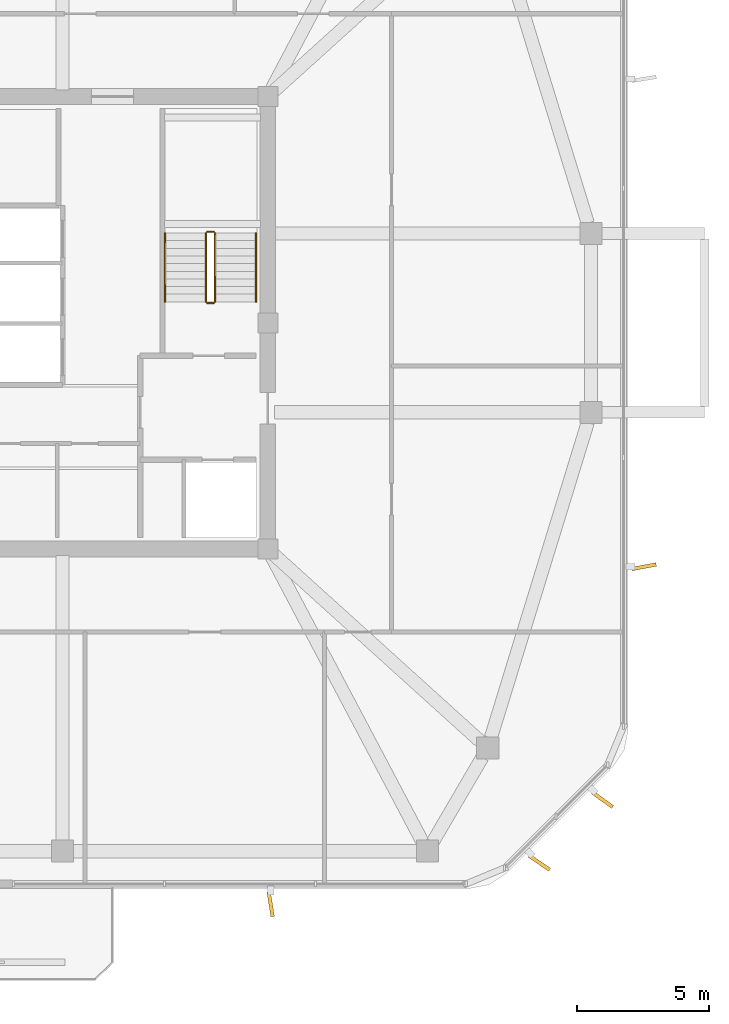
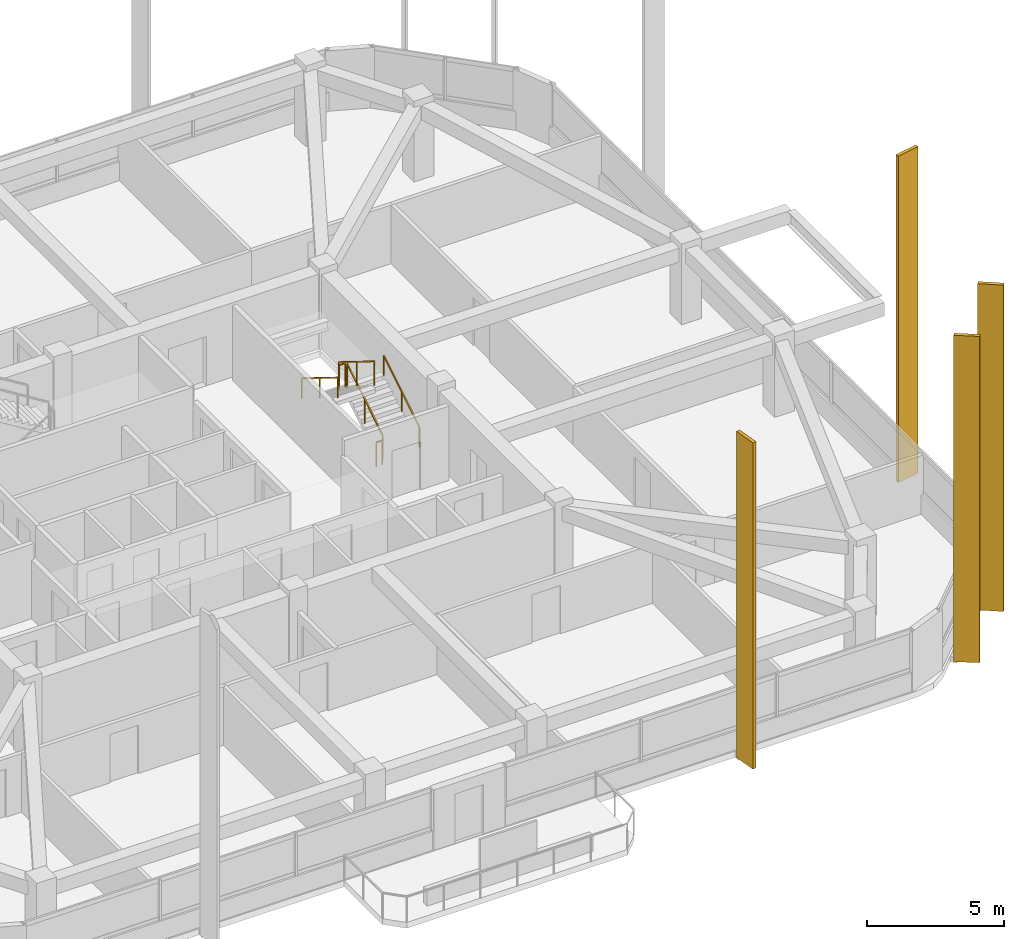
# One storey, part 11 of 12: 6 railings, 4 shading devices.
"""IFC4 building model written with IfcOpenShell, lengths in metres."""

from ifc_helpers import new_model, si_unit, derived_unit, direction, frame, origin, origin_2d, place, context, subcontext, project, spatial, rectangle, extrude, material, type_object, element, save


model = new_model("IFC4")

# Units and contexts
model_context = context("Model", 3, precision=1e-05, world=origin(), true_north=direction((0.0, 1.0)))
body_context = subcontext(model_context, "Body", "Model", "MODEL_VIEW")
ifc_project = project(units=[si_unit("LENGTHUNIT", "METRE"), si_unit("AREAUNIT", "SQUARE_METRE"), si_unit("VOLUMEUNIT", "CUBIC_METRE"), si_unit("PLANEANGLEUNIT", "RADIAN"), si_unit("MASSUNIT", "GRAM", prefix="KILO"), derived_unit("THERMALTRANSMITTANCEUNIT", [(si_unit("POWERUNIT", "WATT"), 1), (si_unit("LENGTHUNIT", "METRE"), -2), (si_unit("THERMODYNAMICTEMPERATUREUNIT", "KELVIN"), -1)])], contexts=[model_context])

# Site, building, storey
site_placement = place(None, origin())
site = spatial("IfcSite", under=ifc_project, at=site_placement, CompositionType="ELEMENT")
building_placement = place(site_placement, origin())
building = spatial("IfcBuilding", under=site, at=building_placement, Name="Koralith Skygarden Medical Center", CompositionType="ELEMENT")
storey_placement = place(building_placement, frame((0.0, 0.0, 268.02001953125)))
storey = spatial("IfcBuildingStorey", under=building, at=storey_placement, Name="L69", CompositionType="ELEMENT", Elevation=268.02001953125)

# Shading devices
ifc_material_1 = material(Name="Aluminium 6063-T6", Category="aluminium")
shading_device_type = type_object("IfcShadingDeviceType", Name="Limestone-Clad Solar Storm Fin 950", PredefinedType="USERDEFINED", material=ifc_material_1)
for number, where, z_axis, x_axis, name in (
    (1, (48.31005859375, 3.804931640625, -0.2001953125), (0.0, 0.0, 1.0), (0.158399333239, -0.987375131968, 0.0), "L69 S Harmonic Solar Storm Fin 2"),
    (2, (58.52197265625, 5.3798828125, -0.2001953125), (0.0, 0.0, 1.0), (0.825458463012, -0.564462864892, 0.0), "L69 SE Harmonic Solar Storm Fin 1"),
    (3, (60.919921875, 7.778076171875, -0.2001953125), (0.0, 0.0, 1.0), (0.810184894058, -0.586174408721, 0.0), "L69 SE Harmonic Solar Storm Fin 2"),
    (4, (62.4951171875, 16.6298828125, -0.2001953125), (0.0, 0.0, 1.0), (0.982822796277, 0.18455175729, 0.0), "L69 E Harmonic Solar Storm Fin 1"),
):
    element("IfcShadingDevice", number, at=place(storey_placement, frame(where, z_axis=z_axis, x_axis=x_axis)), inside=storey, type_object=shading_device_type, Name=name, ObjectType="SOLAR FIN", PredefinedType="USERDEFINED", context=body_context, shape_type="SweptSolid", body=[
        extrude(rectangle(XDim=0.949951171875, YDim=0.139892578125, at=origin_2d()), origin(), (0.0, 0.0, 1.0), 14.550048828125),
    ])

# Railings
ifc_material_2 = material(Name="Steel ASTM A500 Grade C", Category="steel")
railing_type_1 = type_object("IfcRailingType", Name="Stair Flight Tubular Handrail 920", PredefinedType="HANDRAIL", material=ifc_material_2)
railing_1_placement = place(storey_placement, frame((47.75, 26.699951171875, 0.179931640625)))
element("IfcRailing", 5, at=railing_1_placement, inside=storey, type_object=railing_type_1, Name="L69 ST2 stair handrail 1", PredefinedType="HANDRAIL", context=body_context, shape_type="SweptSolid", body=[
    extrude(rectangle(XDim=0.050048828125, YDim=0.050048828125, at=origin_2d()), frame((0.0, 0.001708984375, 0.89599609375), z_axis=(0.0, 0.849632798774, 0.527374731332), x_axis=(-1.0, 0.0, 0.0)), (0.0, 0.0, 1.0), 3.068115234375),
    extrude(rectangle(XDim=0.0419921875, YDim=0.0419921875, at=origin_2d()), origin(), (0.0, 0.0, 1.0), 0.867919921875),
    extrude(rectangle(XDim=0.0419921875, YDim=0.0419921875, at=origin_2d()), frame((0.0, 1.30517578125, 0.81005859375)), (0.0, 0.0, 1.0), 0.867919921875),
    extrude(rectangle(XDim=0.0419921875, YDim=0.0419921875, at=origin_2d()), frame((0.0, 2.610107421875, 1.6201171875)), (0.0, 0.0, 1.0), 0.867919921875),
])
railing_2_placement = place(storey_placement, frame((44.300048828125, 29.31005859375, 1.97998046875)))
element("IfcRailing", 6, at=railing_2_placement, inside=storey, type_object=railing_type_1, Name="L69 ST2 stair handrail 2", PredefinedType="HANDRAIL", context=body_context, shape_type="SweptSolid", body=[
    extrude(rectangle(XDim=0.050048828125, YDim=0.050048828125, at=origin_2d()), frame((0.0, -0.001708984375, 0.89599609375), z_axis=(0.0, -0.849632798774, 0.527374731332), x_axis=(1.0, 0.0, 0.0)), (0.0, 0.0, 1.0), 3.068115234375),
    extrude(rectangle(XDim=0.0419921875, YDim=0.0419921875, at=origin_2d()), origin(), (0.0, 0.0, 1.0), 0.867919921875),
    extrude(rectangle(XDim=0.0419921875, YDim=0.0419921875, at=origin_2d()), frame((0.0, -1.30517578125, 0.81005859375)), (0.0, 0.0, 1.0), 0.867919921875),
    extrude(rectangle(XDim=0.0419921875, YDim=0.0419921875, at=origin_2d()), frame((0.0, -2.610107421875, 1.6201171875)), (0.0, 0.0, 1.0), 0.867919921875),
])
railing_type_2 = type_object("IfcRailingType", Name="Stair Well Safety Guardrail 1100", PredefinedType="GUARDRAIL", material=ifc_material_2)
railing_3_placement = place(storey_placement, frame((46.199951171875, 26.699951171875, 0.179931640625)))
element("IfcRailing", 7, at=railing_3_placement, inside=storey, type_object=railing_type_2, Name="L69 ST2 stair guard 1", PredefinedType="GUARDRAIL", context=body_context, shape_type="SweptSolid", body=[
    extrude(rectangle(XDim=0.050048828125, YDim=0.050048828125, at=origin_2d()), frame((0.0, 0.001708984375, 1.076171875), z_axis=(0.0, 0.849632798774, 0.527374731332), x_axis=(-1.0, 0.0, 0.0)), (0.0, 0.0, 1.0), 3.068115234375),
    extrude(rectangle(XDim=0.0419921875, YDim=0.0419921875, at=origin_2d()), origin(), (0.0, 0.0, 1.0), 1.048095703125),
    extrude(rectangle(XDim=0.0419921875, YDim=0.0419921875, at=origin_2d()), frame((0.0, 1.30517578125, 0.81005859375)), (0.0, 0.0, 1.0), 1.048095703125),
    extrude(rectangle(XDim=0.0419921875, YDim=0.0419921875, at=origin_2d()), frame((0.0, 2.610107421875, 1.6201171875)), (0.0, 0.0, 1.0), 1.048095703125),
])
railing_4_placement = place(storey_placement, frame((46.14990234375, 29.360107421875, 1.800048828125)))
element("IfcRailing", 8, at=railing_4_placement, inside=storey, type_object=railing_type_2, Name="L69 ST2 stair guard 2", PredefinedType="GUARDRAIL", context=body_context, shape_type="SweptSolid", body=[
    extrude(rectangle(XDim=0.050048828125, YDim=0.050048828125, at=origin_2d()), frame((-0.001953125, 0.0, 1.0751953125), z_axis=(-1.0, 0.0, 0.0), x_axis=(0.0, -1.0, 0.0)), (0.0, 0.0, 1.0), 0.24609375),
    extrude(rectangle(XDim=0.0419921875, YDim=0.0419921875, at=origin_2d()), origin(), (0.0, 0.0, 1.0), 1.048095703125),
    extrude(rectangle(XDim=0.0419921875, YDim=0.0419921875, at=origin_2d()), frame((-0.25, 0.0, 0.0)), (0.0, 0.0, 1.0), 1.048095703125),
])
railing_5_placement = place(storey_placement, frame((45.85009765625, 29.31005859375, 1.97998046875)))
element("IfcRailing", 9, at=railing_5_placement, inside=storey, type_object=railing_type_2, Name="L69 ST2 stair guard 3", PredefinedType="GUARDRAIL", context=body_context, shape_type="SweptSolid", body=[
    extrude(rectangle(XDim=0.050048828125, YDim=0.050048828125, at=origin_2d()), frame((0.0, -0.001708984375, 1.076171875), z_axis=(0.0, -0.849632798774, 0.527374731332), x_axis=(1.0, 0.0, 0.0)), (0.0, 0.0, 1.0), 3.068115234375),
    extrude(rectangle(XDim=0.0419921875, YDim=0.0419921875, at=origin_2d()), origin(), (0.0, 0.0, 1.0), 1.048095703125),
    extrude(rectangle(XDim=0.0419921875, YDim=0.0419921875, at=origin_2d()), frame((0.0, -1.30517578125, 0.81005859375)), (0.0, 0.0, 1.0), 1.048095703125),
    extrude(rectangle(XDim=0.0419921875, YDim=0.0419921875, at=origin_2d()), frame((0.0, -2.610107421875, 1.6201171875)), (0.0, 0.0, 1.0), 1.048095703125),
])
railing_6_placement = place(storey_placement, frame((46.14990234375, 26.64990234375, 0.0)))
element("IfcRailing", 10, at=railing_6_placement, inside=storey, type_object=railing_type_2, Name="L69 ST2 stair guard 4", PredefinedType="GUARDRAIL", context=body_context, shape_type="SweptSolid", body=[
    extrude(rectangle(XDim=0.050048828125, YDim=0.050048828125, at=origin_2d()), frame((-0.001953125, 0.0, 1.0751953125), z_axis=(-1.0, 0.0, 0.0), x_axis=(0.0, -1.0, 0.0)), (0.0, 0.0, 1.0), 0.24609375),
    extrude(rectangle(XDim=0.0419921875, YDim=0.0419921875, at=origin_2d()), origin(), (0.0, 0.0, 1.0), 1.048095703125),
    extrude(rectangle(XDim=0.0419921875, YDim=0.0419921875, at=origin_2d()), frame((-0.25, 0.0, 0.0)), (0.0, 0.0, 1.0), 1.048095703125),
])

save(model, "model.ifc")
